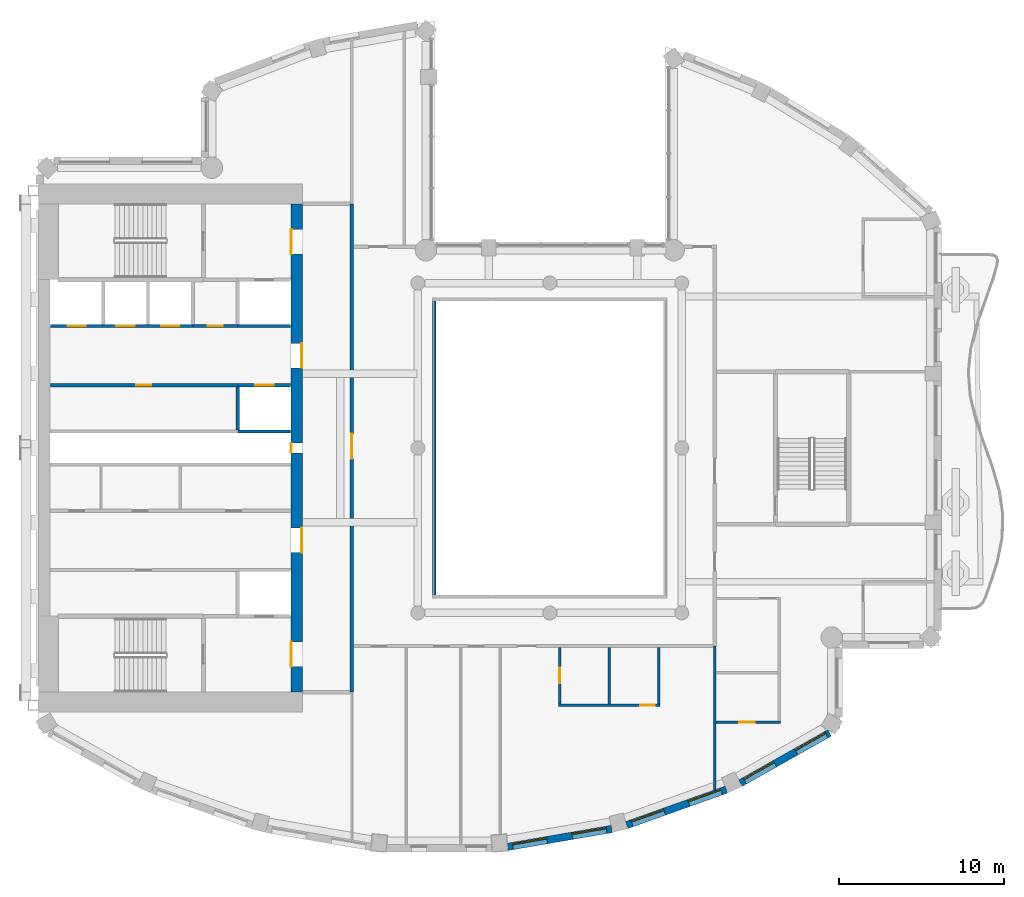
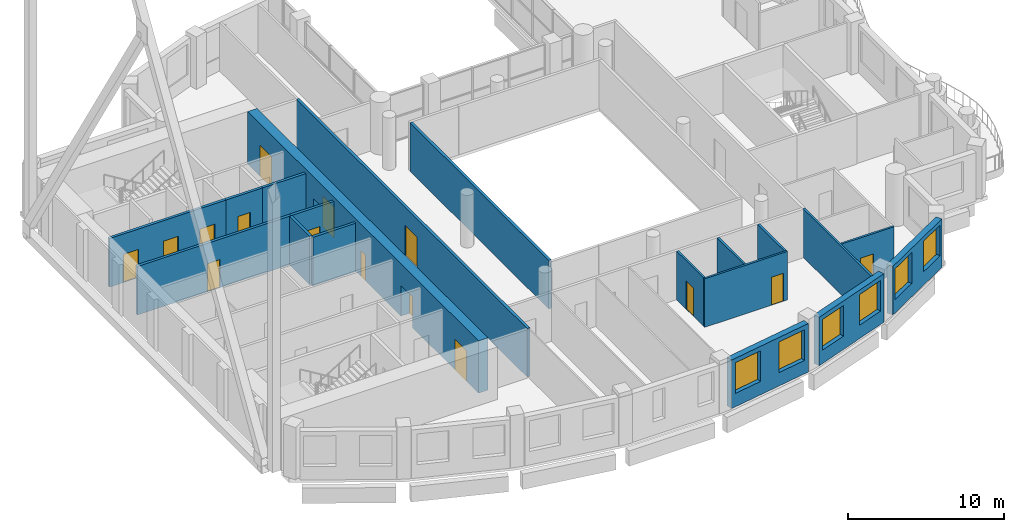
# One storey, part 6 of 18: 19 walls, 15 doors, 6 windows, 21 openings.
"""IFC4 building model written with IfcOpenShell, lengths in metres."""

from ifc_helpers import new_model, si_unit, direction, frame, frame_2d, origin, place, context, subcontext, project, spatial, rectangle, extrude, material, layer, layer_set, type_object, element, fill, save


model = new_model("IFC4")

# Units and contexts
model_context = context("Model", 3, precision=1e-05, world=origin(), true_north=direction((0.0, 1.0)))
body_context = subcontext(model_context, "Body", "Model", "MODEL_VIEW")
ifc_project = project(units=[si_unit("LENGTHUNIT", "METRE"), si_unit("AREAUNIT", "SQUARE_METRE"), si_unit("VOLUMEUNIT", "CUBIC_METRE"), si_unit("PLANEANGLEUNIT", "RADIAN"), si_unit("MASSUNIT", "GRAM", prefix="KILO")], contexts=[model_context])

# Site, building, storey
site_placement = place(None, origin())
site = spatial("IfcSite", under=ifc_project, at=site_placement, CompositionType="ELEMENT")
building_placement = place(site_placement, origin())
building = spatial("IfcBuilding", under=site, at=building_placement, Name="Cypress Arch Tower", CompositionType="ELEMENT")
storey_placement = place(building_placement, frame((0.0, 0.0, 288.5)))
storey = spatial("IfcBuildingStorey", under=building, at=storey_placement, Name="L65", CompositionType="ELEMENT", Elevation=288.5)

# Wall, openings, windows
ifc_material_1 = material(Name="Brick (red buff blend)", Category="masonry")
ifc_layer_1 = layer(ifc_material_1, 0.449951171875)
ifc_layer_set_1 = layer_set([ifc_layer_1], Name="Brick pier and spandrel wall BW450")
wall_type_1 = type_object("IfcWallType", Name="Brick pier and spandrel wall BW450", PredefinedType="SOLIDWALL", material=ifc_layer_set_1)
wall_1_placement = place(storey_placement, frame((-1.562255859375, -24.18505859375, 0.0), z_axis=(0.0, 0.0, 1.0), x_axis=(0.985502073964, 0.169663379113, 0.0)))
wall_1 = element("IfcWall", 1, at=wall_1_placement, inside=storey, type_object=wall_type_1, Name="Brick wall L65 C12.0", PredefinedType="SOLIDWALL", context=body_context, shape_type="SweptSolid", body=[
    extrude(rectangle(XDim=6.412109375, YDim=0.449951171875, at=frame_2d((3.2060546875, 0.0))), origin(), (0.0, 0.0, 1.0), 3.800048828125),
])
opening_1_placement = place(wall_1_placement, frame((0.3271484375, 0.0, 1.050048828125)))
opening_1 = element("IfcOpeningElement", 2, at=opening_1_placement, cuts=wall_1, Name="Opening W210O", PredefinedType="OPENING", context=body_context, shape_type="SweptSolid", body=[
    extrude(rectangle(XDim=2.10009765625, YDim=2.39990234375, at=frame_2d((1.050048828125, 1.199951171875))), frame((0.0, 0.23486328125, 0.0), z_axis=(0.0, -1.0, 0.0), x_axis=(1.0, 0.0, 0.0)), (0.0, 0.0, 1.0), 0.469970703125),
])
opening_2_placement = place(wall_1_placement, frame((3.98486328125, 0.0, 1.050048828125)))
opening_2 = element("IfcOpeningElement", 3, at=opening_2_placement, cuts=wall_1, Name="Opening W210O", PredefinedType="OPENING", context=body_context, shape_type="SweptSolid", body=[
    extrude(rectangle(XDim=2.10009765625, YDim=2.39990234375, at=frame_2d((1.050048828125, 1.199951171875))), frame((0.0, 0.23486328125, 0.0), z_axis=(0.0, -1.0, 0.0), x_axis=(1.0, 0.0, 0.0)), (0.0, 0.0, 1.0), 0.469970703125),
])
ifc_material_2 = material(Name="Anodised aluminium, bronze finish, clear low-emissivity double glazing", Category="aluminium")
window_type = type_object("IfcWindowType", Name="Window Office 2100x2400", PartitioningType="SINGLE_PANEL", PredefinedType="WINDOW", material=ifc_material_2)
window_1_placement = place(opening_1_placement, origin())
window_1 = element("IfcWindow", 4, at=window_1_placement, inside=storey, type_object=window_type, Name="Window L65 C12.0.1", OverallHeight=2.39990234375, OverallWidth=2.10009765625, PartitioningType="SINGLE_PANEL", PredefinedType="WINDOW", context=body_context, shape_type="SweptSolid", body=[
    extrude(rectangle(XDim=2.10009765625, YDim=2.39990234375, at=frame_2d((1.050048828125, 1.199951171875))), frame((0.0, 0.135009765625, 0.0), z_axis=(0.0, -1.0, 0.0), x_axis=(1.0, 0.0, 0.0)), (0.0, 0.0, 1.0), 0.06005859375),
])
fill(opening_1, window_1)
window_2_placement = place(opening_2_placement, origin())
window_2 = element("IfcWindow", 5, at=window_2_placement, inside=storey, type_object=window_type, Name="Window L65 C12.0.2", OverallHeight=2.39990234375, OverallWidth=2.10009765625, PartitioningType="SINGLE_PANEL", PredefinedType="WINDOW", context=body_context, shape_type="SweptSolid", body=[
    extrude(rectangle(XDim=2.10009765625, YDim=2.39990234375, at=frame_2d((1.050048828125, 1.199951171875))), frame((0.0, 0.135009765625, 0.0), z_axis=(0.0, -1.0, 0.0), x_axis=(1.0, 0.0, 0.0)), (0.0, 0.0, 1.0), 0.06005859375),
])
fill(opening_2, window_2)

wall_2_placement = place(storey_placement, frame((5.66455078125, -22.859375, 0.0), z_axis=(0.0, 0.0, 1.0), x_axis=(0.942108340262, 0.335308626803, 0.0)))
wall_2 = element("IfcWall", 6, at=wall_2_placement, inside=storey, type_object=wall_type_1, Name="Brick wall L65 C13.0", PredefinedType="SOLIDWALL", context=body_context, shape_type="SweptSolid", body=[
    extrude(rectangle(XDim=6.41162109375, YDim=0.449951171875, at=frame_2d((3.205810546875, 0.0))), origin(), (0.0, 0.0, 1.0), 3.800048828125),
])
opening_3_placement = place(wall_2_placement, frame((0.3271484375, 0.0, 1.050048828125)))
opening_3 = element("IfcOpeningElement", 7, at=opening_3_placement, cuts=wall_2, Name="Opening W210O", PredefinedType="OPENING", context=body_context, shape_type="SweptSolid", body=[
    extrude(rectangle(XDim=2.10009765625, YDim=2.39990234375, at=frame_2d((1.050048828125, 1.199951171875))), frame((0.0, 0.23486328125, 0.0), z_axis=(0.0, -1.0, 0.0), x_axis=(1.0, 0.0, 0.0)), (0.0, 0.0, 1.0), 0.469970703125),
])
opening_4_placement = place(wall_2_placement, frame((3.984619140625, 0.0, 1.050048828125)))
opening_4 = element("IfcOpeningElement", 8, at=opening_4_placement, cuts=wall_2, Name="Opening W210O", PredefinedType="OPENING", context=body_context, shape_type="SweptSolid", body=[
    extrude(rectangle(XDim=2.10009765625, YDim=2.39990234375, at=frame_2d((1.050048828125, 1.199951171875))), frame((0.0, 0.23486328125, 0.0), z_axis=(0.0, -1.0, 0.0), x_axis=(1.0, 0.0, 0.0)), (0.0, 0.0, 1.0), 0.469970703125),
])
window_3_placement = place(opening_3_placement, origin())
window_3 = element("IfcWindow", 9, at=window_3_placement, inside=storey, type_object=window_type, Name="Window L65 C13.0.1", OverallHeight=2.39990234375, OverallWidth=2.10009765625, PartitioningType="SINGLE_PANEL", PredefinedType="WINDOW", context=body_context, shape_type="SweptSolid", body=[
    extrude(rectangle(XDim=2.10009765625, YDim=2.39990234375, at=frame_2d((1.050048828125, 1.199951171875))), frame((0.0, 0.135009765625, 0.0), z_axis=(0.0, -1.0, 0.0), x_axis=(1.0, 0.0, 0.0)), (0.0, 0.0, 1.0), 0.06005859375),
])
fill(opening_3, window_3)
window_4_placement = place(opening_4_placement, origin())
window_4 = element("IfcWindow", 10, at=window_4_placement, inside=storey, type_object=window_type, Name="Window L65 C13.0.2", OverallHeight=2.39990234375, OverallWidth=2.10009765625, PartitioningType="SINGLE_PANEL", PredefinedType="WINDOW", context=body_context, shape_type="SweptSolid", body=[
    extrude(rectangle(XDim=2.10009765625, YDim=2.39990234375, at=frame_2d((1.050048828125, 1.199951171875))), frame((0.0, 0.135009765625, 0.0), z_axis=(0.0, -1.0, 0.0), x_axis=(1.0, 0.0, 0.0)), (0.0, 0.0, 1.0), 0.06005859375),
])
fill(opening_4, window_4)

wall_3_placement = place(storey_placement, frame((12.55908203125, -20.320068359375, 0.0), z_axis=(0.0, 0.0, 1.0), x_axis=(0.871065783524, 0.491166367714, 0.0)))
wall_3 = element("IfcWall", 11, at=wall_3_placement, inside=storey, type_object=wall_type_1, Name="Brick wall L65 C14.0", PredefinedType="SOLIDWALL", context=body_context, shape_type="SweptSolid", body=[
    extrude(rectangle(XDim=6.1962890625, YDim=0.449951171875, at=frame_2d((3.09814453125, 0.0))), origin(), (0.0, 0.0, 1.0), 3.800048828125),
])
opening_5_placement = place(wall_3_placement, frame((0.29052734375, 0.0, 1.050048828125)))
opening_5 = element("IfcOpeningElement", 12, at=opening_5_placement, cuts=wall_3, Name="Opening W210O", PredefinedType="OPENING", context=body_context, shape_type="SweptSolid", body=[
    extrude(rectangle(XDim=2.10009765625, YDim=2.39990234375, at=frame_2d((1.050048828125, 1.199951171875))), frame((0.0, 0.23486328125, 0.0), z_axis=(0.0, -1.0, 0.0), x_axis=(1.0, 0.0, 0.0)), (0.0, 0.0, 1.0), 0.469970703125),
])
opening_6_placement = place(wall_3_placement, frame((3.875244140625, 0.0, 1.050048828125)))
opening_6 = element("IfcOpeningElement", 13, at=opening_6_placement, cuts=wall_3, Name="Opening W210O", PredefinedType="OPENING", context=body_context, shape_type="SweptSolid", body=[
    extrude(rectangle(XDim=2.10009765625, YDim=2.39990234375, at=frame_2d((1.050048828125, 1.199951171875))), frame((0.0, 0.23486328125, 0.0), z_axis=(0.0, -1.0, 0.0), x_axis=(1.0, 0.0, 0.0)), (0.0, 0.0, 1.0), 0.469970703125),
])
window_5_placement = place(opening_5_placement, origin())
window_5 = element("IfcWindow", 14, at=window_5_placement, inside=storey, type_object=window_type, Name="Window L65 C14.0.1", OverallHeight=2.39990234375, OverallWidth=2.10009765625, PartitioningType="SINGLE_PANEL", PredefinedType="WINDOW", context=body_context, shape_type="SweptSolid", body=[
    extrude(rectangle(XDim=2.10009765625, YDim=2.39990234375, at=frame_2d((1.050048828125, 1.199951171875))), frame((0.0, 0.135009765625, 0.0), z_axis=(0.0, -1.0, 0.0), x_axis=(1.0, 0.0, 0.0)), (0.0, 0.0, 1.0), 0.06005859375),
])
fill(opening_5, window_5)
window_6_placement = place(opening_6_placement, origin())
window_6 = element("IfcWindow", 15, at=window_6_placement, inside=storey, type_object=window_type, Name="Window L65 C14.0.2", OverallHeight=2.39990234375, OverallWidth=2.10009765625, PartitioningType="SINGLE_PANEL", PredefinedType="WINDOW", context=body_context, shape_type="SweptSolid", body=[
    extrude(rectangle(XDim=2.10009765625, YDim=2.39990234375, at=frame_2d((1.050048828125, 1.199951171875))), frame((0.0, 0.135009765625, 0.0), z_axis=(0.0, -1.0, 0.0), x_axis=(1.0, 0.0, 0.0)), (0.0, 0.0, 1.0), 0.06005859375),
])
fill(opening_6, window_6)

# Wall, openings, doors
ifc_material_3 = material(Name="Concrete C60/75", Category="concrete")
ifc_layer_2 = layer(ifc_material_3, 0.699951171875)
ifc_layer_set_2 = layer_set([ifc_layer_2], Name="Core wall CW700 C60/75")
wall_type_2 = type_object("IfcWallType", Name="Core wall CW700 C60/75", PredefinedType="SHEAR", material=ifc_layer_set_2)
wall_4_placement = place(storey_placement, frame((-14.35009765625, -14.800048828125, 0.0), z_axis=(0.0, 0.0, 1.0), x_axis=(0.0, 1.0, 0.0)))
wall_4 = element("IfcWall", 16, at=wall_4_placement, inside=storey, type_object=wall_type_2, Name="Core wall", PredefinedType="SHEAR", context=body_context, shape_type="SweptSolid", body=[
    extrude(rectangle(XDim=29.60009765625, YDim=0.699951171875, at=frame_2d((14.800048828125, 0.0))), origin(), (0.0, 0.0, 1.0), 4.10009765625),
])
opening_7_placement = place(wall_4_placement, frame((1.550048828125, 0.0, 0.0)))
opening_7 = element("IfcOpeningElement", 17, at=opening_7_placement, cuts=wall_4, Name="Opening D07", PredefinedType="OPENING", context=body_context, shape_type="SweptSolid", body=[
    extrude(rectangle(XDim=1.5, YDim=2.39990234375, at=frame_2d((0.75, 1.199951171875))), frame((0.0, 0.35986328125, 0.0), z_axis=(0.0, -1.0, 0.0), x_axis=(1.0, 0.0, 0.0)), (0.0, 0.0, 1.0), 0.719970703125),
])
opening_8_placement = place(wall_4_placement, frame((26.550048828125, 0.0, 0.0)))
opening_8 = element("IfcOpeningElement", 18, at=opening_8_placement, cuts=wall_4, Name="Opening D07", PredefinedType="OPENING", context=body_context, shape_type="SweptSolid", body=[
    extrude(rectangle(XDim=1.5, YDim=2.39990234375, at=frame_2d((0.75, 1.199951171875))), frame((0.0, 0.35986328125, 0.0), z_axis=(0.0, -1.0, 0.0), x_axis=(1.0, 0.0, 0.0)), (0.0, 0.0, 1.0), 0.719970703125),
])
opening_9_placement = place(wall_4_placement, frame((8.449951171875, 0.0, 0.0)))
opening_9 = element("IfcOpeningElement", 19, at=opening_9_placement, cuts=wall_4, Name="Opening D07", PredefinedType="OPENING", context=body_context, shape_type="SweptSolid", body=[
    extrude(rectangle(XDim=1.5, YDim=2.39990234375, at=frame_2d((0.75, 1.199951171875))), frame((0.0, 0.35986328125, 0.0), z_axis=(0.0, -1.0, 0.0), x_axis=(1.0, 0.0, 0.0)), (0.0, 0.0, 1.0), 0.719970703125),
])
opening_10_placement = place(wall_4_placement, frame((19.64990234375, 0.0, 0.0)))
opening_10 = element("IfcOpeningElement", 20, at=opening_10_placement, cuts=wall_4, Name="Opening D07", PredefinedType="OPENING", context=body_context, shape_type="SweptSolid", body=[
    extrude(rectangle(XDim=1.5, YDim=2.39990234375, at=frame_2d((0.75, 1.199951171875))), frame((0.0, 0.35986328125, 0.0), z_axis=(0.0, -1.0, 0.0), x_axis=(1.0, 0.0, 0.0)), (0.0, 0.0, 1.0), 0.719970703125),
])
opening_11_placement = place(wall_4_placement, frame((14.5, 0.0, 0.0)))
opening_11 = element("IfcOpeningElement", 21, at=opening_11_placement, cuts=wall_4, Name="Opening D08", PredefinedType="OPENING", context=body_context, shape_type="SweptSolid", body=[
    extrude(rectangle(XDim=0.60009765625, YDim=2.0, at=frame_2d((0.300048828125, 1.0))), frame((0.0, 0.35986328125, 0.0), z_axis=(0.0, -1.0, 0.0), x_axis=(1.0, 0.0, 0.0)), (0.0, 0.0, 1.0), 0.719970703125),
])
ifc_material_4 = material(Name="Steel framed glazed door, fire resisting", Category="steel")
door_type_1 = type_object("IfcDoorType", Name="Lobby door D07 1500x2400", OperationType="DOUBLE_DOOR_SINGLE_SWING", PredefinedType="DOOR", material=ifc_material_4)
door_1_placement = place(opening_7_placement, origin())
door_1 = element("IfcDoor", 22, at=door_1_placement, inside=storey, type_object=door_type_1, Name="Lobby door", OperationType="DOUBLE_DOOR_SINGLE_SWING", OverallHeight=2.39990234375, OverallWidth=1.5, PredefinedType="DOOR", context=body_context, shape_type="SweptSolid", body=[
    extrude(rectangle(XDim=1.5, YDim=2.39990234375, at=frame_2d((0.75, 1.199951171875))), frame((0.0, 0.34521484375, 0.0), z_axis=(0.0, -1.0, 0.0), x_axis=(1.0, 0.0, 0.0)), (0.0, 0.0, 1.0), 0.050048828125),
])
fill(opening_7, door_1)
door_2_placement = place(opening_8_placement, origin())
door_2 = element("IfcDoor", 23, at=door_2_placement, inside=storey, type_object=door_type_1, Name="Lobby door", OperationType="DOUBLE_DOOR_SINGLE_SWING", OverallHeight=2.39990234375, OverallWidth=1.5, PredefinedType="DOOR", context=body_context, shape_type="SweptSolid", body=[
    extrude(rectangle(XDim=1.5, YDim=2.39990234375, at=frame_2d((0.75, 1.199951171875))), frame((0.0, 0.34521484375, 0.0), z_axis=(0.0, -1.0, 0.0), x_axis=(1.0, 0.0, 0.0)), (0.0, 0.0, 1.0), 0.050048828125),
])
fill(opening_8, door_2)
door_3_placement = place(opening_9_placement, origin())
door_3 = element("IfcDoor", 24, at=door_3_placement, inside=storey, type_object=door_type_1, Name="Lobby door", OperationType="DOUBLE_DOOR_SINGLE_SWING", OverallHeight=2.39990234375, OverallWidth=1.5, PredefinedType="DOOR", context=body_context, shape_type="SweptSolid", body=[
    extrude(rectangle(XDim=1.5, YDim=2.39990234375, at=frame_2d((0.75, 1.199951171875))), frame((0.0, -0.294921875, 0.0), z_axis=(0.0, -1.0, 0.0), x_axis=(1.0, 0.0, 0.0)), (0.0, 0.0, 1.0), 0.050048828125),
])
fill(opening_9, door_3)
door_4_placement = place(opening_10_placement, origin())
door_4 = element("IfcDoor", 25, at=door_4_placement, inside=storey, type_object=door_type_1, Name="Lobby door", OperationType="DOUBLE_DOOR_SINGLE_SWING", OverallHeight=2.39990234375, OverallWidth=1.5, PredefinedType="DOOR", context=body_context, shape_type="SweptSolid", body=[
    extrude(rectangle(XDim=1.5, YDim=2.39990234375, at=frame_2d((0.75, 1.199951171875))), frame((0.0, -0.294921875, 0.0), z_axis=(0.0, -1.0, 0.0), x_axis=(1.0, 0.0, 0.0)), (0.0, 0.0, 1.0), 0.050048828125),
])
fill(opening_10, door_4)
ifc_material_5 = material(Name="Steel access door, fire resisting", Category="steel")
door_type_2 = type_object("IfcDoorType", Name="Riser access door D08 600x2000", OperationType="SINGLE_SWING_LEFT", PredefinedType="DOOR", material=ifc_material_5)
door_5_placement = place(opening_11_placement, origin())
door_5 = element("IfcDoor", 26, at=door_5_placement, inside=storey, type_object=door_type_2, Name="Riser access door", OperationType="SINGLE_SWING_RIGHT", OverallHeight=2.0, OverallWidth=0.60009765625, PredefinedType="DOOR", context=body_context, shape_type="SweptSolid", body=[
    extrude(rectangle(XDim=0.60009765625, YDim=2.0, at=frame_2d((0.300048828125, 1.0))), frame((0.0, 0.34521484375, 0.0), z_axis=(0.0, -1.0, 0.0), x_axis=(1.0, 0.0, 0.0)), (0.0, 0.0, 1.0), 0.050048828125),
])
fill(opening_11, door_5)

# Wall, opening, door
ifc_material_6 = material(Name="Concrete blockwork, plastered, rated", Category="masonry")
ifc_layer_3 = layer(ifc_material_6, 0.199951171875)
ifc_layer_set_3 = layer_set([ifc_layer_3], Name="Corridor wall FW200")
wall_type_3 = type_object("IfcWallType", Name="Corridor wall FW200", PredefinedType="PARTITIONING", material=ifc_layer_set_3)
wall_5_placement = place(storey_placement, frame((-20.639892578125, 7.39990234375, 0.0), z_axis=(0.0, 0.0, 1.0), x_axis=(1.0, 0.0, 0.0)))
wall_5 = element("IfcWall", 27, at=wall_5_placement, inside=storey, type_object=wall_type_3, Name="Corridor wall", PredefinedType="PARTITIONING", context=body_context, shape_type="SweptSolid", body=[
    extrude(rectangle(XDim=2.719970703125, YDim=0.199951171875, at=frame_2d((1.35986328125, 0.0))), origin(), (0.0, 0.0, 1.0), 3.800048828125),
])
opening_12_placement = place(wall_5_placement, frame((0.89990234375, 0.0, 0.0)))
opening_12 = element("IfcOpeningElement", 28, at=opening_12_placement, cuts=wall_5, Name="Opening D05", PredefinedType="OPENING", context=body_context, shape_type="SweptSolid", body=[
    extrude(rectangle(XDim=0.89990234375, YDim=2.199951171875, at=frame_2d((0.449951171875, 1.10009765625))), frame((0.0, 0.10986328125, 0.0), z_axis=(0.0, -1.0, 0.0), x_axis=(1.0, 0.0, 0.0)), (0.0, 0.0, 1.0), 0.219970703125),
])
ifc_material_7 = material(Name="Timber flush door", Category="wood")
door_type_3 = type_object("IfcDoorType", Name="Service door D05 900x2200", OperationType="SINGLE_SWING_LEFT", PredefinedType="DOOR", material=ifc_material_7)
door_6_placement = place(opening_12_placement, origin())
door_6 = element("IfcDoor", 29, at=door_6_placement, inside=storey, type_object=door_type_3, Name="Service door", OperationType="SINGLE_SWING_LEFT", OverallHeight=2.199951171875, OverallWidth=0.89990234375, PredefinedType="DOOR", context=body_context, shape_type="SweptSolid", body=[
    extrude(rectangle(XDim=0.89990234375, YDim=2.199951171875, at=frame_2d((0.449951171875, 1.10009765625))), frame((0.0, 0.02490234375, 0.0), z_axis=(0.0, -1.0, 0.0), x_axis=(1.0, 0.0, 0.0)), (0.0, 0.0, 1.0), 0.050048828125),
])
fill(opening_12, door_6)

wall_6_placement = place(storey_placement, frame((-11.0, -14.800048828125, 0.0), z_axis=(0.0, 0.0, 1.0), x_axis=(0.0, 1.0, 0.0)))
wall_6 = element("IfcWall", 30, at=wall_6_placement, inside=storey, type_object=wall_type_3, Name="Corridor wall", PredefinedType="PARTITIONING", context=body_context, shape_type="SweptSolid", body=[
    extrude(rectangle(XDim=29.60009765625, YDim=0.199951171875, at=frame_2d((14.800048828125, 0.0))), origin(), (0.0, 0.0, 1.0), 3.800048828125),
])
opening_13_placement = place(wall_6_placement, frame((14.14990234375, 0.0, 0.0)))
opening_13 = element("IfcOpeningElement", 31, at=opening_13_placement, cuts=wall_6, Name="Opening D07", PredefinedType="OPENING", context=body_context, shape_type="SweptSolid", body=[
    extrude(rectangle(XDim=1.5, YDim=2.39990234375, at=frame_2d((0.75, 1.199951171875))), frame((0.0, 0.10986328125, 0.0), z_axis=(0.0, -1.0, 0.0), x_axis=(1.0, 0.0, 0.0)), (0.0, 0.0, 1.0), 0.219970703125),
])
door_7_placement = place(opening_13_placement, origin())
door_7 = element("IfcDoor", 32, at=door_7_placement, inside=storey, type_object=door_type_1, Name="Lobby door", OperationType="DOUBLE_DOOR_SINGLE_SWING", OverallHeight=2.39990234375, OverallWidth=1.5, PredefinedType="DOOR", context=body_context, shape_type="SweptSolid", body=[
    extrude(rectangle(XDim=1.5, YDim=2.39990234375, at=frame_2d((0.75, 1.199951171875))), frame((0.0, 0.02490234375, 0.0), z_axis=(0.0, -1.0, 0.0), x_axis=(1.0, 0.0, 0.0)), (0.0, 0.0, 1.0), 0.050048828125),
])
fill(opening_13, door_7)

# Wall
wall_7_placement = place(storey_placement, frame((-6.0, -8.89990234375, 0.0), z_axis=(0.0, 0.0, 1.0), x_axis=(0.0, 1.0, 0.0)))
element("IfcWall", 33, at=wall_7_placement, inside=storey, type_object=wall_type_3, Name="Corridor wall", PredefinedType="PARTITIONING", context=body_context, shape_type="SweptSolid", body=[
    extrude(rectangle(XDim=17.7998046875, YDim=0.199951171875, at=frame_2d((8.89990234375, 0.0))), origin(), (0.0, 0.0, 1.0), 3.800048828125),
])

# Wall, opening, door
ifc_material_8 = material(Name="Blockwork, plastered both sides", Category="masonry")
ifc_layer_4 = layer(ifc_material_8, 0.14990234375)
ifc_layer_set_4 = layer_set([ifc_layer_4], Name="Partition PW150")
wall_type_4 = type_object("IfcWallType", Name="Partition PW150", PredefinedType="PARTITIONING", material=ifc_layer_set_4)
wall_8_placement = place(storey_placement, frame((1.60107421875, -15.52490234375, 0.0), z_axis=(0.0, 0.0, 1.0), x_axis=(0.0, 1.0, 0.0)))
wall_8 = element("IfcWall", 34, at=wall_8_placement, inside=storey, type_object=wall_type_4, Name="Partition", PredefinedType="PARTITIONING", context=body_context, shape_type="SweptSolid", body=[
    extrude(rectangle(XDim=3.4248046875, YDim=0.14990234375, at=frame_2d((1.71240234375, 0.0))), origin(), (0.0, 0.0, 1.0), 3.800048828125),
])
opening_14_placement = place(wall_8_placement, frame((1.25, 0.0, 0.0)))
opening_14 = element("IfcOpeningElement", 35, at=opening_14_placement, cuts=wall_8, Name="Opening D12", PredefinedType="OPENING", context=body_context, shape_type="SweptSolid", body=[
    extrude(rectangle(XDim=0.949951171875, YDim=2.199951171875, at=frame_2d((0.47509765625, 1.10009765625))), frame((0.0, 0.0849609375, 0.0), z_axis=(0.0, -1.0, 0.0), x_axis=(1.0, 0.0, 0.0)), (0.0, 0.0, 1.0), 0.169921875),
])
ifc_material_9 = material(Name="Timber flush door", Category="wood")
door_type_4 = type_object("IfcDoorType", Name="Room door D12 950x2200", OperationType="SINGLE_SWING_LEFT", PredefinedType="DOOR", material=ifc_material_9)
door_8_placement = place(opening_14_placement, origin())
door_8 = element("IfcDoor", 36, at=door_8_placement, inside=storey, type_object=door_type_4, Name="Room door", OperationType="SINGLE_SWING_RIGHT", OverallHeight=2.199951171875, OverallWidth=0.949951171875, PredefinedType="DOOR", context=body_context, shape_type="SweptSolid", body=[
    extrude(rectangle(XDim=0.949951171875, YDim=2.199951171875, at=frame_2d((0.47509765625, 1.10009765625))), frame((0.0, 0.02490234375, 0.0), z_axis=(0.0, -1.0, 0.0), x_axis=(1.0, 0.0, 0.0)), (0.0, 0.0, 1.0), 0.050048828125),
])
fill(opening_14, door_8)

wall_9_placement = place(storey_placement, frame((1.52587890625, -15.60009765625, 0.0), z_axis=(0.0, 0.0, 1.0), x_axis=(1.0, 0.0, 0.0)))
wall_9 = element("IfcWall", 37, at=wall_9_placement, inside=storey, type_object=wall_type_4, Name="Partition", PredefinedType="PARTITIONING", context=body_context, shape_type="SweptSolid", body=[
    extrude(rectangle(XDim=6.150146484375, YDim=0.14990234375, at=frame_2d((3.0751953125, 0.0))), origin(), (0.0, 0.0, 1.0), 3.800048828125),
])
opening_15_placement = place(wall_9_placement, frame((4.949951171875, 0.0, 0.0)))
opening_15 = element("IfcOpeningElement", 38, at=opening_15_placement, cuts=wall_9, Name="Opening D05", PredefinedType="OPENING", context=body_context, shape_type="SweptSolid", body=[
    extrude(rectangle(XDim=0.89990234375, YDim=2.199951171875, at=frame_2d((0.449951171875, 1.10009765625))), frame((0.0, 0.0849609375, 0.0), z_axis=(0.0, -1.0, 0.0), x_axis=(1.0, 0.0, 0.0)), (0.0, 0.0, 1.0), 0.169921875),
])
door_9_placement = place(opening_15_placement, origin())
door_9 = element("IfcDoor", 39, at=door_9_placement, inside=storey, type_object=door_type_3, Name="Service door", OperationType="SINGLE_SWING_RIGHT", OverallHeight=2.199951171875, OverallWidth=0.89990234375, PredefinedType="DOOR", context=body_context, shape_type="SweptSolid", body=[
    extrude(rectangle(XDim=0.89990234375, YDim=2.199951171875, at=frame_2d((0.449951171875, 1.10009765625))), frame((0.0, 0.02490234375, 0.0), z_axis=(0.0, -1.0, 0.0), x_axis=(1.0, 0.0, 0.0)), (0.0, 0.0, 1.0), 0.050048828125),
])
fill(opening_15, door_9)

# Walls
for number, where, z_axis, x_axis, name in (
    (40, (4.60107421875, -15.52490234375, 0.0), (0.0, 0.0, 1.0), (0.0, 1.0, 0.0), "Partition"),
    (41, (7.60107421875, -15.52490234375, 0.0), (0.0, 0.0, 1.0), (0.0, 1.0, 0.0), "Partition"),
):
    element("IfcWall", number, at=place(storey_placement, frame(where, z_axis=z_axis, x_axis=x_axis)), inside=storey, type_object=wall_type_4, Name=name, PredefinedType="PARTITIONING", context=body_context, shape_type="SweptSolid", body=[
        extrude(rectangle(XDim=3.4248046875, YDim=0.14990234375, at=frame_2d((1.71240234375, 0.0))), origin(), (0.0, 0.0, 1.0), 3.800048828125),
    ])
wall_10_placement = place(storey_placement, frame((11.0, -20.721435546875, 0.0), z_axis=(0.0, 0.0, 1.0), x_axis=(0.0, 1.0, 0.0)))
element("IfcWall", 42, at=wall_10_placement, inside=storey, type_object=wall_type_4, Name="Partition", PredefinedType="PARTITIONING", context=body_context, shape_type="SweptSolid", body=[
    extrude(rectangle(XDim=8.721435546875, YDim=0.14990234375, at=frame_2d((4.36083984375, 0.0))), origin(), (0.0, 0.0, 1.0), 3.800048828125),
])

# Wall, opening, door
wall_11_placement = place(storey_placement, frame((11.074951171875, -16.625, 0.0), z_axis=(0.0, 0.0, 1.0), x_axis=(1.0, 0.0, 0.0)))
wall_11 = element("IfcWall", 43, at=wall_11_placement, inside=storey, type_object=wall_type_4, Name="Partition", PredefinedType="PARTITIONING", context=body_context, shape_type="SweptSolid", body=[
    extrude(rectangle(XDim=3.900146484375, YDim=0.14990234375, at=frame_2d((1.9501953125, 0.0))), origin(), (0.0, 0.0, 1.0), 3.800048828125),
])
opening_16_placement = place(wall_11_placement, frame((1.39990234375, 0.0, 0.0)))
opening_16 = element("IfcOpeningElement", 44, at=opening_16_placement, cuts=wall_11, Name="Opening D12", PredefinedType="OPENING", context=body_context, shape_type="SweptSolid", body=[
    extrude(rectangle(XDim=0.949951171875, YDim=2.199951171875, at=frame_2d((0.47509765625, 1.10009765625))), frame((0.0, 0.0849609375, 0.0), z_axis=(0.0, -1.0, 0.0), x_axis=(1.0, 0.0, 0.0)), (0.0, 0.0, 1.0), 0.169921875),
])
door_10_placement = place(opening_16_placement, origin())
door_10 = element("IfcDoor", 45, at=door_10_placement, inside=storey, type_object=door_type_4, Name="Room door", OperationType="SINGLE_SWING_RIGHT", OverallHeight=2.199951171875, OverallWidth=0.949951171875, PredefinedType="DOOR", context=body_context, shape_type="SweptSolid", body=[
    extrude(rectangle(XDim=0.949951171875, YDim=2.199951171875, at=frame_2d((0.47509765625, 1.10009765625))), frame((0.0, 0.02490234375, 0.0), z_axis=(0.0, -1.0, 0.0), x_axis=(1.0, 0.0, 0.0)), (0.0, 0.0, 1.0), 0.050048828125),
])
fill(opening_16, door_10)

ifc_material_10 = material(Name="Reinforced blockwork, plastered, rated", Category="masonry")
ifc_layer_5 = layer(ifc_material_10, 0.199951171875)
ifc_layer_set_5 = layer_set([ifc_layer_5], Name="Plant and riser wall PL200")
wall_type_5 = type_object("IfcWallType", Name="Plant and riser wall PL200", PredefinedType="PARTITIONING", material=ifc_layer_set_5)
wall_12_placement = place(storey_placement, frame((-29.27001953125, 3.800048828125, 0.0), z_axis=(0.0, 0.0, 1.0), x_axis=(1.0, 0.0, 0.0)))
wall_12 = element("IfcWall", 46, at=wall_12_placement, inside=storey, type_object=wall_type_5, Name="Plant and riser wall", PredefinedType="PARTITIONING", context=body_context, shape_type="SweptSolid", body=[
    extrude(rectangle(XDim=11.3701171875, YDim=0.199951171875, at=frame_2d((5.68505859375, 0.0))), origin(), (0.0, 0.0, 1.0), 3.800048828125),
])
opening_17_placement = place(wall_12_placement, frame((5.199951171875, 0.0, 0.0)))
opening_17 = element("IfcOpeningElement", 47, at=opening_17_placement, cuts=wall_12, Name="Opening D05", PredefinedType="OPENING", context=body_context, shape_type="SweptSolid", body=[
    extrude(rectangle(XDim=0.89990234375, YDim=2.199951171875, at=frame_2d((0.449951171875, 1.10009765625))), frame((0.0, 0.10986328125, 0.0), z_axis=(0.0, -1.0, 0.0), x_axis=(1.0, 0.0, 0.0)), (0.0, 0.0, 1.0), 0.219970703125),
])
door_11_placement = place(opening_17_placement, origin())
door_11 = element("IfcDoor", 48, at=door_11_placement, inside=storey, type_object=door_type_3, Name="Service door", OperationType="SINGLE_SWING_RIGHT", OverallHeight=2.199951171875, OverallWidth=0.89990234375, PredefinedType="DOOR", context=body_context, shape_type="SweptSolid", body=[
    extrude(rectangle(XDim=0.89990234375, YDim=2.199951171875, at=frame_2d((0.449951171875, 1.10009765625))), frame((0.0, 0.02490234375, 0.0), z_axis=(0.0, -1.0, 0.0), x_axis=(1.0, 0.0, 0.0)), (0.0, 0.0, 1.0), 0.050048828125),
])
fill(opening_17, door_11)

# Wall, openings, doors
ifc_material_11 = material(Name="Concrete C50/60", Category="concrete")
ifc_layer_6 = layer(ifc_material_11, 0.199951171875)
ifc_layer_set_6 = layer_set([ifc_layer_6], Name="Shaft wall SH200")
wall_type_6 = type_object("IfcWallType", Name="Shaft wall SH200", PredefinedType="SHEAR", material=ifc_layer_set_6)
wall_13_placement = place(storey_placement, frame((-29.27001953125, 7.39990234375, 0.0), z_axis=(0.0, 0.0, 1.0), x_axis=(1.0, 0.0, 0.0)))
wall_13 = element("IfcWall", 49, at=wall_13_placement, inside=storey, type_object=wall_type_6, Name="Shaft wall", PredefinedType="SHEAR", context=body_context, shape_type="SweptSolid", body=[
    extrude(rectangle(XDim=8.630126953125, YDim=0.199951171875, at=frame_2d((4.31494140625, 0.0))), origin(), (0.0, 0.0, 1.0), 3.800048828125),
])
opening_18_placement = place(wall_13_placement, frame((1.050048828125, 0.0, 0.0)))
opening_18 = element("IfcOpeningElement", 50, at=opening_18_placement, cuts=wall_13, Name="Opening LD-HR5", PredefinedType="OPENING", context=body_context, shape_type="SweptSolid", body=[
    extrude(rectangle(XDim=1.10009765625, YDim=2.199951171875, at=frame_2d((0.550048828125, 1.10009765625))), frame((0.0, 0.10986328125, 0.0), z_axis=(0.0, -1.0, 0.0), x_axis=(1.0, 0.0, 0.0)), (0.0, 0.0, 1.0), 0.219970703125),
])
opening_19_placement = place(wall_13_placement, frame((4.0, 0.0, 0.0)))
opening_19 = element("IfcOpeningElement", 51, at=opening_19_placement, cuts=wall_13, Name="Opening LD-HR6", PredefinedType="OPENING", context=body_context, shape_type="SweptSolid", body=[
    extrude(rectangle(XDim=1.10009765625, YDim=2.199951171875, at=frame_2d((0.550048828125, 1.10009765625))), frame((0.0, 0.10986328125, 0.0), z_axis=(0.0, -1.0, 0.0), x_axis=(1.0, 0.0, 0.0)), (0.0, 0.0, 1.0), 0.219970703125),
])
opening_20_placement = place(wall_13_placement, frame((6.699951171875, 0.0, 0.0)))
opening_20 = element("IfcOpeningElement", 52, at=opening_20_placement, cuts=wall_13, Name="Opening LD-HR7", PredefinedType="OPENING", context=body_context, shape_type="SweptSolid", body=[
    extrude(rectangle(XDim=1.10009765625, YDim=2.199951171875, at=frame_2d((0.550048828125, 1.10009765625))), frame((0.0, 0.10986328125, 0.0), z_axis=(0.0, -1.0, 0.0), x_axis=(1.0, 0.0, 0.0)), (0.0, 0.0, 1.0), 0.219970703125),
])
ifc_material_12 = material(Name="Stainless steel centre-opening landing door, rated", Category="steel")
door_type_5 = type_object("IfcDoorType", Name="Lift landing door LD 1100x2200", OperationType="DOUBLE_DOOR_SLIDING", PredefinedType="DOOR", material=ifc_material_12)
door_12_placement = place(opening_18_placement, origin())
door_12 = element("IfcDoor", 53, at=door_12_placement, inside=storey, type_object=door_type_5, Name="Lift landing doors HR5", OperationType="DOUBLE_DOOR_SLIDING", OverallHeight=2.199951171875, OverallWidth=1.10009765625, PredefinedType="DOOR", context=body_context, shape_type="SweptSolid", body=[
    extrude(rectangle(XDim=1.10009765625, YDim=2.199951171875, at=frame_2d((0.550048828125, 1.10009765625))), frame((0.0, 0.02490234375, 0.0), z_axis=(0.0, -1.0, 0.0), x_axis=(1.0, 0.0, 0.0)), (0.0, 0.0, 1.0), 0.050048828125),
])
fill(opening_18, door_12)
door_13_placement = place(opening_19_placement, origin())
door_13 = element("IfcDoor", 54, at=door_13_placement, inside=storey, type_object=door_type_5, Name="Lift landing doors HR6", OperationType="DOUBLE_DOOR_SLIDING", OverallHeight=2.199951171875, OverallWidth=1.10009765625, PredefinedType="DOOR", context=body_context, shape_type="SweptSolid", body=[
    extrude(rectangle(XDim=1.10009765625, YDim=2.199951171875, at=frame_2d((0.550048828125, 1.10009765625))), frame((0.0, 0.02490234375, 0.0), z_axis=(0.0, -1.0, 0.0), x_axis=(1.0, 0.0, 0.0)), (0.0, 0.0, 1.0), 0.050048828125),
])
fill(opening_19, door_13)
door_14_placement = place(opening_20_placement, origin())
door_14 = element("IfcDoor", 55, at=door_14_placement, inside=storey, type_object=door_type_5, Name="Lift landing doors HR7", OperationType="DOUBLE_DOOR_SLIDING", OverallHeight=2.199951171875, OverallWidth=1.10009765625, PredefinedType="DOOR", context=body_context, shape_type="SweptSolid", body=[
    extrude(rectangle(XDim=1.10009765625, YDim=2.199951171875, at=frame_2d((0.550048828125, 1.10009765625))), frame((0.0, 0.02490234375, 0.0), z_axis=(0.0, -1.0, 0.0), x_axis=(1.0, 0.0, 0.0)), (0.0, 0.0, 1.0), 0.050048828125),
])
fill(opening_20, door_14)

# Walls
wall_14_placement = place(storey_placement, frame((-17.919921875, 1.10009765625, 0.0), z_axis=(0.0, 0.0, 1.0), x_axis=(0.0, 1.0, 0.0)))
element("IfcWall", 56, at=wall_14_placement, inside=storey, type_object=wall_type_6, Name="Shaft wall", PredefinedType="SHEAR", context=body_context, shape_type="SweptSolid", body=[
    extrude(rectangle(XDim=2.599853515625, YDim=0.199951171875, at=frame_2d((1.2998046875, 0.0))), origin(), (0.0, 0.0, 1.0), 3.800048828125),
])
wall_15_placement = place(storey_placement, frame((-17.89990234375, 1.0, 0.0), z_axis=(0.0, 0.0, 1.0), x_axis=(1.0, 0.0, 0.0)))
element("IfcWall", 57, at=wall_15_placement, inside=storey, type_object=wall_type_6, Name="Shaft wall", PredefinedType="SHEAR", context=body_context, shape_type="SweptSolid", body=[
    extrude(rectangle(XDim=3.169921875, YDim=0.199951171875, at=frame_2d((1.5849609375, 0.0))), origin(), (0.0, 0.0, 1.0), 3.800048828125),
])

# Wall, opening, door
wall_16_placement = place(storey_placement, frame((-17.89990234375, 3.800048828125, 0.0), z_axis=(0.0, 0.0, 1.0), x_axis=(1.0, 0.0, 0.0)))
wall_16 = element("IfcWall", 58, at=wall_16_placement, inside=storey, type_object=wall_type_6, Name="Shaft wall", PredefinedType="SHEAR", context=body_context, shape_type="SweptSolid", body=[
    extrude(rectangle(XDim=3.169921875, YDim=0.199951171875, at=frame_2d((1.5849609375, 0.0))), origin(), (0.0, 0.0, 1.0), 3.800048828125),
])
opening_21_placement = place(wall_16_placement, frame((1.050048828125, 0.0, 0.0)))
opening_21 = element("IfcOpeningElement", 59, at=opening_21_placement, cuts=wall_16, Name="Opening LD-HR4", PredefinedType="OPENING", context=body_context, shape_type="SweptSolid", body=[
    extrude(rectangle(XDim=1.10009765625, YDim=2.199951171875, at=frame_2d((0.550048828125, 1.10009765625))), frame((0.0, 0.10986328125, 0.0), z_axis=(0.0, -1.0, 0.0), x_axis=(1.0, 0.0, 0.0)), (0.0, 0.0, 1.0), 0.219970703125),
])
door_15_placement = place(opening_21_placement, origin())
door_15 = element("IfcDoor", 60, at=door_15_placement, inside=storey, type_object=door_type_5, Name="Lift landing doors HR4", OperationType="DOUBLE_DOOR_SLIDING", OverallHeight=2.199951171875, OverallWidth=1.10009765625, PredefinedType="DOOR", context=body_context, shape_type="SweptSolid", body=[
    extrude(rectangle(XDim=1.10009765625, YDim=2.199951171875, at=frame_2d((0.550048828125, 1.10009765625))), frame((0.0, 0.02490234375, 0.0), z_axis=(0.0, -1.0, 0.0), x_axis=(1.0, 0.0, 0.0)), (0.0, 0.0, 1.0), 0.050048828125),
])
fill(opening_21, door_15)

# Wall
wall_17_placement = place(storey_placement, frame((-17.919921875, 7.39990234375, 0.0), z_axis=(0.0, 0.0, 1.0), x_axis=(1.0, 0.0, 0.0)))
element("IfcWall", 61, at=wall_17_placement, inside=storey, type_object=wall_type_6, Name="Shaft wall", PredefinedType="SHEAR", context=body_context, shape_type="SweptSolid", body=[
    extrude(rectangle(XDim=3.18994140625, YDim=0.199951171875, at=frame_2d((1.594970703125, 0.0))), origin(), (0.0, 0.0, 1.0), 3.800048828125),
])

save(model, "model.ifc")
